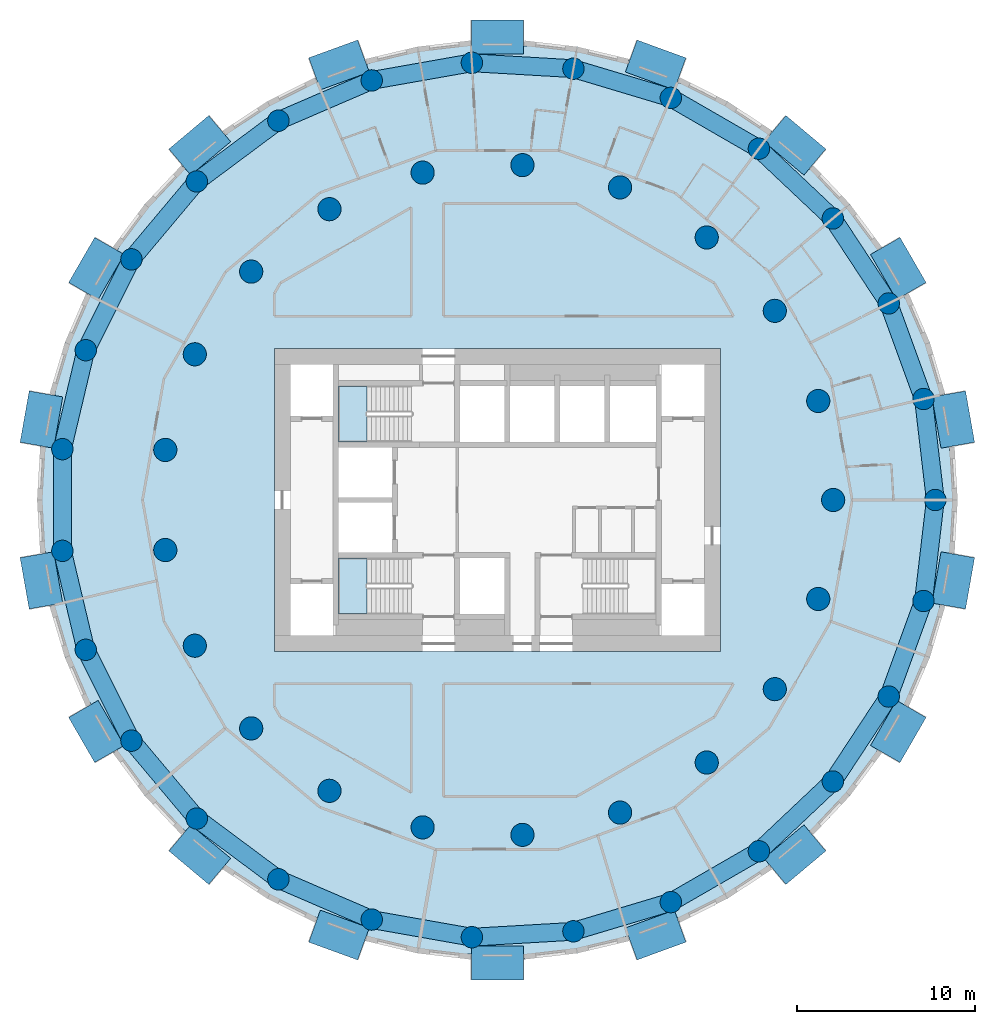
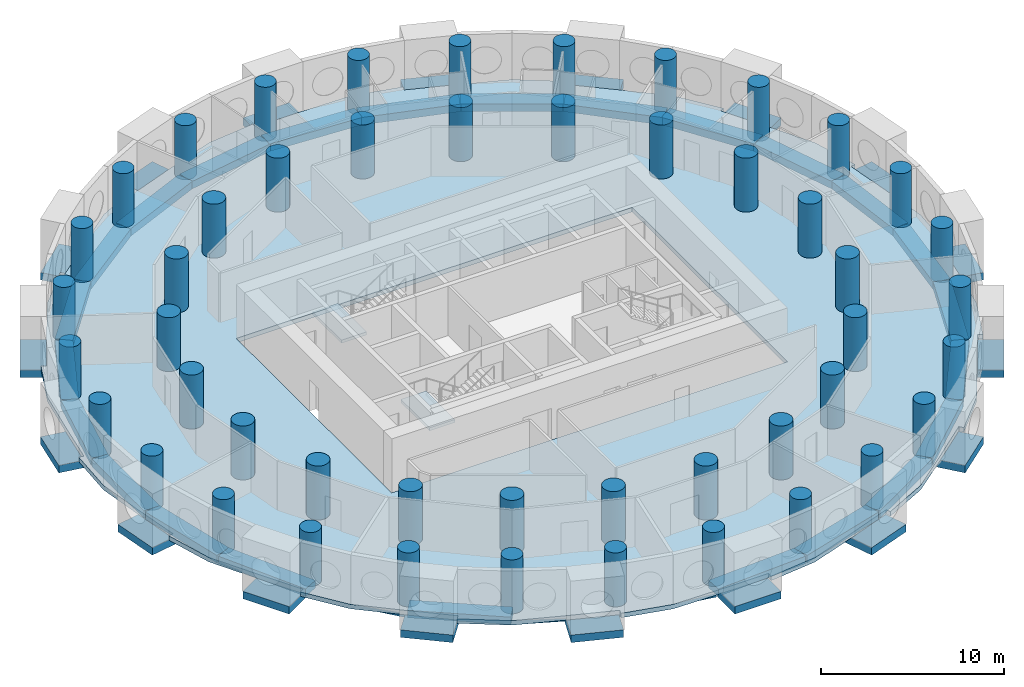
# One storey, part 1 of 10: 48 columns, 45 beams, 3 slabs, 2 elements without a shape of their own.
"""IFC4 building model written with IfcOpenShell, lengths in metres."""

from ifc_helpers import new_model, si_unit, direction, frame, origin, origin_2d, place, context, subcontext, project, spatial, polyline, rectangle, circle, outline, extrude, material, layer, layer_set, material_profile, profile_set, type_object, element, aggregate, save


model = new_model("IFC4")

# Units and contexts
model_context = context("Model", 3, precision=1e-05, world=origin(), true_north=direction((0.0, 1.0)))
body_context = subcontext(model_context, "Body", "Model", "MODEL_VIEW")
ifc_project = project(units=[si_unit("LENGTHUNIT", "METRE"), si_unit("AREAUNIT", "SQUARE_METRE"), si_unit("VOLUMEUNIT", "CUBIC_METRE"), si_unit("PLANEANGLEUNIT", "RADIAN"), si_unit("MASSUNIT", "GRAM", prefix="KILO")], contexts=[model_context])

# Site, building, storey
site_placement = place(None, origin())
site = spatial("IfcSite", under=ifc_project, at=site_placement, CompositionType="ELEMENT")
building_placement = place(site_placement, origin())
building = spatial("IfcBuilding", under=site, at=building_placement, Name="Tracery Tower", CompositionType="ELEMENT")
storey_placement = place(building_placement, frame((0.0, 0.0, 158.39990234375)))
storey = spatial("IfcBuildingStorey", under=building, at=storey_placement, Name="L40", CompositionType="ELEMENT", Elevation=158.39990234375)

# Columns
ifc_material_1 = material(Name="Concrete C50/60", Category="concrete")
ifc_material_profile_1 = material_profile(ifc_material_1, circle(Radius=0.60009765625, at=origin_2d()), Name="RC D1200")
ifc_profile_set_1 = profile_set([ifc_material_profile_1], Name="Concrete C50/60")
column_type_1 = type_object("IfcColumnType", Name="Ring 1 column 1200", PredefinedType="COLUMN", material=ifc_profile_set_1)
for number, where, z_axis, x_axis, name in (
    (1, (24.547607421875, 0.0, 0.0), (0.0, 0.0, 1.0), (1.0, 0.0, 0.0), "Ring 1 column 00 at L40"),
    (2, (23.885986328125, 5.6611328125, 0.0), (0.0, 0.0, 1.0), (1.0, 0.0, 0.0), "Ring 1 column 01 at L40"),
    (3, (21.9365234375, 11.01708984375, 0.0), (0.0, 0.0, 1.0), (1.0, 0.0, 0.0), "Ring 1 column 02 at L40"),
    (4, (18.8046875, 15.779052734375, 0.0), (0.0, 0.0, 1.0), (1.0, 0.0, 0.0), "Ring 1 column 03 at L40"),
    (5, (14.658935546875, 19.690185546875, 0.0), (0.0, 0.0, 1.0), (1.0, 0.0, 0.0), "Ring 1 column 04 at L40"),
    (6, (9.722900390625, 22.5400390625, 0.0), (0.0, 0.0, 1.0), (1.0, 0.0, 0.0), "Ring 1 column 05 at L40"),
    (7, (4.2626953125, 24.1748046875, 0.0), (0.0, 0.0, 1.0), (1.0, 0.0, 0.0), "Ring 1 column 06 at L40"),
    (8, (-1.42724609375, 24.506103515625, 0.0), (0.0, 0.0, 1.0), (1.0, 0.0, 0.0), "Ring 1 column 07 at L40"),
    (9, (-7.040283203125, 23.516357421875, 0.0), (0.0, 0.0, 1.0), (1.0, 0.0, 0.0), "Ring 1 column 08 at L40"),
    (10, (-12.273681640625, 21.2587890625, 0.0), (0.0, 0.0, 1.0), (1.0, 0.0, 0.0), "Ring 1 column 09 at L40"),
    (11, (-16.845703125, 17.855224609375, 0.0), (0.0, 0.0, 1.0), (1.0, 0.0, 0.0), "Ring 1 column 10 at L40"),
    (12, (-20.50927734375, 13.4892578125, 0.0), (0.0, 0.0, 1.0), (1.0, 0.0, 0.0), "Ring 1 column 11 at L40"),
    (13, (-23.0673828125, 8.395751953125, 0.0), (0.0, 0.0, 1.0), (1.0, 0.0, 0.0), "Ring 1 column 12 at L40"),
    (14, (-24.381591796875, 2.849853515625, 0.0), (0.0, 0.0, 1.0), (1.0, 0.0, 0.0), "Ring 1 column 13 at L40"),
    (15, (-24.381591796875, -2.849853515625, 0.0), (0.0, 0.0, 1.0), (1.0, 0.0, 0.0), "Ring 1 column 14 at L40"),
    (16, (-23.0673828125, -8.395751953125, 0.0), (0.0, 0.0, 1.0), (1.0, 0.0, 0.0), "Ring 1 column 15 at L40"),
    (17, (-20.50927734375, -13.4892578125, 0.0), (0.0, 0.0, 1.0), (1.0, 0.0, 0.0), "Ring 1 column 16 at L40"),
    (18, (-16.845703125, -17.85546875, 0.0), (0.0, 0.0, 1.0), (1.0, 0.0, 0.0), "Ring 1 column 17 at L40"),
    (19, (-12.27392578125, -21.2587890625, 0.0), (0.0, 0.0, 1.0), (1.0, 0.0, 0.0), "Ring 1 column 18 at L40"),
    (20, (-7.040283203125, -23.516357421875, 0.0), (0.0, 0.0, 1.0), (1.0, 0.0, 0.0), "Ring 1 column 19 at L40"),
    (21, (-1.42724609375, -24.506103515625, 0.0), (0.0, 0.0, 1.0), (1.0, 0.0, 0.0), "Ring 1 column 20 at L40"),
    (22, (4.2626953125, -24.1748046875, 0.0), (0.0, 0.0, 1.0), (1.0, 0.0, 0.0), "Ring 1 column 21 at L40"),
    (23, (9.722900390625, -22.5400390625, 0.0), (0.0, 0.0, 1.0), (1.0, 0.0, 0.0), "Ring 1 column 22 at L40"),
    (24, (14.658935546875, -19.690185546875, 0.0), (0.0, 0.0, 1.0), (1.0, 0.0, 0.0), "Ring 1 column 23 at L40"),
    (25, (18.8046875, -15.779052734375, 0.0), (0.0, 0.0, 1.0), (1.0, 0.0, 0.0), "Ring 1 column 24 at L40"),
    (26, (21.9365234375, -11.01708984375, 0.0), (0.0, 0.0, 1.0), (1.0, 0.0, 0.0), "Ring 1 column 25 at L40"),
    (27, (23.885986328125, -5.6611328125, 0.0), (0.0, 0.0, 1.0), (1.0, 0.0, 0.0), "Ring 1 column 26 at L40"),
):
    element("IfcColumn", number, at=place(storey_placement, frame(where, z_axis=z_axis, x_axis=x_axis)), inside=storey, type_object=column_type_1, Name=name, PredefinedType="COLUMN", context=body_context, shape_type="SweptSolid", body=[
        extrude(circle(Radius=0.60009765625, at=origin_2d()), origin(), (0.0, 0.0, 1.0), 3.60009765625),
    ])
ifc_material_2 = material(Name="Concrete C50/60", Category="concrete")
ifc_material_profile_2 = material_profile(ifc_material_2, circle(Radius=0.64990234375, at=origin_2d()), Name="RC D1300")
ifc_profile_set_2 = profile_set([ifc_material_profile_2], Name="Concrete C50/60")
column_type_2 = type_object("IfcColumnType", Name="Ring 2 column 1300", PredefinedType="COLUMN", material=ifc_profile_set_2)
for number, where, z_axis, x_axis, name in (
    (28, (18.822265625, 0.0, 0.0), (0.0, 0.0, 1.0), (1.0, 0.0, 0.0), "Ring 2 column 00 at L40"),
    (29, (17.986083984375, 5.5478515625, 0.0), (0.0, 0.0, 1.0), (1.0, 0.0, 0.0), "Ring 2 column 01 at L40"),
    (30, (15.551513671875, 10.602783203125, 0.0), (0.0, 0.0, 1.0), (1.0, 0.0, 0.0), "Ring 2 column 02 at L40"),
    (31, (11.7353515625, 14.7158203125, 0.0), (0.0, 0.0, 1.0), (1.0, 0.0, 0.0), "Ring 2 column 03 at L40"),
    (32, (6.87646484375, 17.52099609375, 0.0), (0.0, 0.0, 1.0), (1.0, 0.0, 0.0), "Ring 2 column 04 at L40"),
    (33, (1.406494140625, 18.76953125, 0.0), (0.0, 0.0, 1.0), (1.0, 0.0, 0.0), "Ring 2 column 05 at L40"),
    (34, (-4.188232421875, 18.350341796875, 0.0), (0.0, 0.0, 1.0), (1.0, 0.0, 0.0), "Ring 2 column 06 at L40"),
    (35, (-9.4111328125, 16.300537109375, 0.0), (0.0, 0.0, 1.0), (1.0, 0.0, 0.0), "Ring 2 column 07 at L40"),
    (36, (-13.797607421875, 12.802490234375, 0.0), (0.0, 0.0, 1.0), (1.0, 0.0, 0.0), "Ring 2 column 08 at L40"),
    (37, (-16.958251953125, 8.16650390625, 0.0), (0.0, 0.0, 1.0), (1.0, 0.0, 0.0), "Ring 2 column 09 at L40"),
    (38, (-18.612060546875, 2.805419921875, 0.0), (0.0, 0.0, 1.0), (1.0, 0.0, 0.0), "Ring 2 column 10 at L40"),
    (39, (-18.612060546875, -2.805419921875, 0.0), (0.0, 0.0, 1.0), (1.0, 0.0, 0.0), "Ring 2 column 11 at L40"),
    (40, (-16.958251953125, -8.166748046875, 0.0), (0.0, 0.0, 1.0), (1.0, 0.0, 0.0), "Ring 2 column 12 at L40"),
    (41, (-13.797607421875, -12.80224609375, 0.0), (0.0, 0.0, 1.0), (1.0, 0.0, 0.0), "Ring 2 column 13 at L40"),
    (42, (-9.4111328125, -16.300537109375, 0.0), (0.0, 0.0, 1.0), (1.0, 0.0, 0.0), "Ring 2 column 14 at L40"),
    (43, (-4.188232421875, -18.350341796875, 0.0), (0.0, 0.0, 1.0), (1.0, 0.0, 0.0), "Ring 2 column 15 at L40"),
    (44, (1.406494140625, -18.76953125, 0.0), (0.0, 0.0, 1.0), (1.0, 0.0, 0.0), "Ring 2 column 16 at L40"),
    (45, (6.87646484375, -17.52099609375, 0.0), (0.0, 0.0, 1.0), (1.0, 0.0, 0.0), "Ring 2 column 17 at L40"),
    (46, (11.7353515625, -14.7158203125, 0.0), (0.0, 0.0, 1.0), (1.0, 0.0, 0.0), "Ring 2 column 18 at L40"),
    (47, (15.551513671875, -10.602783203125, 0.0), (0.0, 0.0, 1.0), (1.0, 0.0, 0.0), "Ring 2 column 19 at L40"),
    (48, (17.986083984375, -5.5478515625, 0.0), (0.0, 0.0, 1.0), (1.0, 0.0, 0.0), "Ring 2 column 20 at L40"),
):
    element("IfcColumn", number, at=place(storey_placement, frame(where, z_axis=z_axis, x_axis=x_axis)), inside=storey, type_object=column_type_2, Name=name, PredefinedType="COLUMN", context=body_context, shape_type="SweptSolid", body=[
        extrude(circle(Radius=0.64990234375, at=origin_2d()), origin(), (0.0, 0.0, 1.0), 3.60009765625),
    ])

# Beams
ifc_material_3 = material(Name="Concrete C50/60", Category="concrete")
ifc_material_profile_3 = material_profile(ifc_material_3, rectangle(XDim=1.909912109375, YDim=0.5, at=origin_2d()), Name="RC 1910x500")
ifc_profile_set_3 = profile_set([ifc_material_profile_3], Name="Concrete C50/60")
beam_type_1 = type_object("IfcBeamType", Name="Bay seat beam 1910 x 500", PredefinedType="BEAM", material=ifc_profile_set_3)
for number, where, z_axis, x_axis, name in (
    (49, (25.808349609375, 3.068115234375, -0.5498046875), (-0.173651785524, 0.984807116843, 0.0), (-0.984807116843, -0.173651785524, 0.0), "Bay seat beam 2 at L40"),
    (50, (23.20263671875, 11.710205078125, -0.5498046875), (-0.500050533749, 0.865996226145, 0.0), (-0.865996226145, -0.500050533749, 0.0), "Bay seat beam 5 at L40"),
):
    element("IfcBeam", number, at=place(storey_placement, frame(where, z_axis=z_axis, x_axis=x_axis)), inside=storey, type_object=beam_type_1, Name=name, PredefinedType="BEAM", context=body_context, shape_type="SweptSolid", body=[
        extrude(rectangle(XDim=1.909912109375, YDim=0.5, at=origin_2d()), origin(), (0.0, 0.0, 1.0), 2.920166015625),
    ])
for number, where, z_axis, x_axis, name in (
    (51, (17.798095703125, 18.939697265625, -0.5498046875), (-0.766037477963, 0.642795910345, 0.0), (-0.642795910345, -0.766037477963, 0.0), "Bay seat beam 8 at L40"),
    (52, (10.2470703125, 23.884765625, -0.5498046875), (-0.939683523464, 0.342045136978, 0.0), (-0.342045136978, -0.939683523464, 0.0), "Bay seat beam 11 at L40"),
    (53, (1.4599609375, 25.948974609375, -0.5498046875), (-1.0, 0.0, 0.0), (0.0, -1.0, 0.0), "Bay seat beam 14 at L40"),
    (54, (-7.503173828125, 24.883544921875, -0.5498046875), (-0.939683523464, -0.342045136978, 0.0), (0.342045136978, -0.939683523464, 0.0), "Bay seat beam 17 at L40"),
    (55, (-15.561279296875, 20.816650390625, -0.5498046875), (-0.766037477963, -0.642795910345, 0.0), (0.642795910345, -0.766037477963, 0.0), "Bay seat beam 20 at L40"),
):
    element("IfcBeam", number, at=place(storey_placement, frame(where, z_axis=z_axis, x_axis=x_axis)), inside=storey, type_object=beam_type_1, Name=name, PredefinedType="BEAM", context=body_context, shape_type="SweptSolid", body=[
        extrude(rectangle(XDim=1.909912109375, YDim=0.5, at=origin_2d()), origin(), (0.0, 0.0, 1.0), 2.919921875),
    ])
for number, where, z_axis, x_axis, name in (
    (56, (-21.742431640625, 14.239013671875, -0.5498046875), (-0.500050533749, -0.865996226145, 0.0), (0.865996226145, -0.500050533749, 0.0), "Bay seat beam 23 at L40"),
    (57, (-25.30126953125, 5.94384765625, -0.5498046875), (-0.173651785524, -0.984807116843, 0.0), (0.984807116843, -0.173651785524, 0.0), "Bay seat beam 26 at L40"),
    (58, (-25.808349609375, -3.068115234375, -0.5498046875), (0.173651785524, -0.984807116843, 0.0), (0.984807116843, 0.173651785524, 0.0), "Bay seat beam 29 at L40"),
    (59, (-23.20263671875, -11.710205078125, -0.5498046875), (0.500050533749, -0.865996226145, 0.0), (0.865996226145, 0.500050533749, 0.0), "Bay seat beam 32 at L40"),
):
    element("IfcBeam", number, at=place(storey_placement, frame(where, z_axis=z_axis, x_axis=x_axis)), inside=storey, type_object=beam_type_1, Name=name, PredefinedType="BEAM", context=body_context, shape_type="SweptSolid", body=[
        extrude(rectangle(XDim=1.909912109375, YDim=0.5, at=origin_2d()), origin(), (0.0, 0.0, 1.0), 2.920166015625),
    ])
for number, where, z_axis, x_axis, name in (
    (60, (-17.798095703125, -18.939697265625, -0.5498046875), (0.766037477963, -0.642795910345, 0.0), (0.642795910345, 0.766037477963, 0.0), "Bay seat beam 35 at L40"),
    (61, (-10.2470703125, -23.884765625, -0.5498046875), (0.939683523464, -0.342045136978, 0.0), (0.342045136978, 0.939683523464, 0.0), "Bay seat beam 38 at L40"),
    (62, (-1.4599609375, -25.948974609375, -0.5498046875), (1.0, 0.0, 0.0), (0.0, 1.0, 0.0), "Bay seat beam 41 at L40"),
    (63, (7.503173828125, -24.883544921875, -0.5498046875), (0.939683523464, 0.342045136978, 0.0), (-0.342045136978, 0.939683523464, 0.0), "Bay seat beam 44 at L40"),
    (64, (15.561279296875, -20.816650390625, -0.5498046875), (0.766037477963, 0.642795910345, 0.0), (-0.642795910345, 0.766037477963, 0.0), "Bay seat beam 47 at L40"),
):
    element("IfcBeam", number, at=place(storey_placement, frame(where, z_axis=z_axis, x_axis=x_axis)), inside=storey, type_object=beam_type_1, Name=name, PredefinedType="BEAM", context=body_context, shape_type="SweptSolid", body=[
        extrude(rectangle(XDim=1.909912109375, YDim=0.5, at=origin_2d()), origin(), (0.0, 0.0, 1.0), 2.919921875),
    ])
for number, where, z_axis, x_axis, name in (
    (65, (21.742431640625, -14.239013671875, -0.5498046875), (0.500050533749, 0.865996226145, 0.0), (-0.865996226145, 0.500050533749, 0.0), "Bay seat beam 50 at L40"),
    (66, (25.30126953125, -5.94384765625, -0.5498046875), (0.173651785524, 0.984807116843, 0.0), (-0.984807116843, 0.173651785524, 0.0), "Bay seat beam 53 at L40"),
):
    element("IfcBeam", number, at=place(storey_placement, frame(where, z_axis=z_axis, x_axis=x_axis)), inside=storey, type_object=beam_type_1, Name=name, PredefinedType="BEAM", context=body_context, shape_type="SweptSolid", body=[
        extrude(rectangle(XDim=1.909912109375, YDim=0.5, at=origin_2d()), origin(), (0.0, 0.0, 1.0), 2.920166015625),
    ])
ifc_material_4 = material(Name="Concrete C50/60", Category="concrete")
ifc_material_profile_4 = material_profile(ifc_material_4, rectangle(XDim=1.0, YDim=0.5, at=origin_2d()), Name="RC 1000x500")
ifc_profile_set_4 = profile_set([ifc_material_profile_4], Name="Concrete C50/60")
beam_type_2 = type_object("IfcBeamType", Name="Perimeter band beam 1000x500", PredefinedType="BEAM", material=ifc_profile_set_4)
for number, where, z_axis, x_axis, name in (
    (67, (24.547607421875, 0.0, -0.5498046875), (-0.116080723252, 0.993239782575, 0.0), (-0.993239782575, -0.116080723252, 0.0), "Perimeter beam 1.00 under L40"),
    (68, (23.885986328125, 5.6611328125, -0.5498046875), (-0.342028502279, 0.939689578334, 0.0), (-0.939689578334, -0.342028502279, 0.0), "Perimeter beam 1.01 under L40"),
):
    element("IfcBeam", number, at=place(storey_placement, frame(where, z_axis=z_axis, x_axis=x_axis)), inside=storey, type_object=beam_type_2, Name=name, PredefinedType="BEAM", context=body_context, shape_type="SweptSolid", body=[
        extrude(rectangle(XDim=1.0, YDim=0.5, at=origin_2d()), origin(), (0.0, 0.0, 1.0), 5.69970703125),
    ])
for number, where, z_axis, x_axis, name in (
    (69, (21.9365234375, 11.01708984375, -0.5498046875), (-0.549489832182, 0.835500403548, 0.0), (-0.835500403548, -0.549489832182, 0.0), "Perimeter beam 1.02 under L40"),
    (70, (18.8046875, 15.779052734375, -0.5498046875), (-0.727389618263, 0.686224703172, 0.0), (-0.686224703172, -0.727389618263, 0.0), "Perimeter beam 1.03 under L40"),
):
    element("IfcBeam", number, at=place(storey_placement, frame(where, z_axis=z_axis, x_axis=x_axis)), inside=storey, type_object=beam_type_2, Name=name, PredefinedType="BEAM", context=body_context, shape_type="SweptSolid", body=[
        extrude(rectangle(XDim=1.0, YDim=0.5, at=origin_2d()), origin(), (0.0, 0.0, 1.0), 5.699462890625),
    ])
for number, where, z_axis, x_axis, name in (
    (71, (14.658935546875, 19.690185546875, -0.5498046875), (-0.866022950691, 0.500004248858, 0.0), (-0.500004248858, -0.866022950691, 0.0), "Perimeter beam 1.04 under L40"),
    (72, (9.722900390625, 22.5400390625, -0.5498046875), (-0.957985292634, 0.28681732705, 0.0), (-0.28681732705, -0.957985292634, 0.0), "Perimeter beam 1.05 under L40"),
):
    element("IfcBeam", number, at=place(storey_placement, frame(where, z_axis=z_axis, x_axis=x_axis)), inside=storey, type_object=beam_type_2, Name=name, PredefinedType="BEAM", context=body_context, shape_type="SweptSolid", body=[
        extrude(rectangle(XDim=1.0, YDim=0.5, at=origin_2d()), origin(), (0.0, 0.0, 1.0), 5.69970703125),
    ])
beam_1_placement = place(storey_placement, frame((4.2626953125, 24.1748046875, -0.5498046875), z_axis=(-0.99830920221, 0.058126902403, 0.0), x_axis=(-0.058126902403, -0.99830920221, 0.0)))
element("IfcBeam", 73, at=beam_1_placement, inside=storey, type_object=beam_type_2, Name="Perimeter beam 1.06 under L40", PredefinedType="BEAM", context=body_context, shape_type="SweptSolid", body=[
    extrude(rectangle(XDim=1.0, YDim=0.5, at=origin_2d()), origin(), (0.0, 0.0, 1.0), 5.699462890625),
])
beam_2_placement = place(storey_placement, frame((-1.42724609375, 24.506103515625, -0.5498046875), z_axis=(-0.984807266719, -0.173650935552, 0.0), x_axis=(0.173650935552, -0.984807266719, 0.0)))
element("IfcBeam", 74, at=beam_2_placement, inside=storey, type_object=beam_type_2, Name="Perimeter beam 1.07 under L40", PredefinedType="BEAM", context=body_context, shape_type="SweptSolid", body=[
    extrude(rectangle(XDim=1.0, YDim=0.5, at=origin_2d()), origin(), (0.0, 0.0, 1.0), 5.69970703125),
])
beam_3_placement = place(storey_placement, frame((-7.040283203125, 23.516357421875, -0.5498046875), z_axis=(-0.918209685525, -0.396094652083, 0.0), x_axis=(0.396094652083, -0.918209685525, 0.0)))
element("IfcBeam", 75, at=beam_3_placement, inside=storey, type_object=beam_type_2, Name="Perimeter beam 1.08 under L40", PredefinedType="BEAM", context=body_context, shape_type="SweptSolid", body=[
    extrude(rectangle(XDim=1.0, YDim=0.5, at=origin_2d()), origin(), (0.0, 0.0, 1.0), 5.699462890625),
])
beam_4_placement = place(storey_placement, frame((-12.273681640625, 21.2587890625, -0.5498046875), z_axis=(-0.802138271299, -0.59713833717, 0.0), x_axis=(0.59713833717, -0.802138271299, 0.0)))
element("IfcBeam", 76, at=beam_4_placement, inside=storey, type_object=beam_type_2, Name="Perimeter beam 1.09 under L40", PredefinedType="BEAM", context=body_context, shape_type="SweptSolid", body=[
    extrude(rectangle(XDim=1.0, YDim=0.5, at=origin_2d()), origin(), (0.0, 0.0, 1.0), 5.69970703125),
])
beam_5_placement = place(storey_placement, frame((-16.845703125, 17.855224609375, -0.5498046875), z_axis=(-0.642797194343, -0.766036400535, 0.0), x_axis=(0.766036400535, -0.642797194343, 0.0)))
element("IfcBeam", 77, at=beam_5_placement, inside=storey, type_object=beam_type_2, Name="Perimeter beam 1.10 under L40", PredefinedType="BEAM", context=body_context, shape_type="SweptSolid", body=[
    extrude(rectangle(XDim=1.0, YDim=0.5, at=origin_2d()), origin(), (0.0, 0.0, 1.0), 5.699462890625),
])
beam_6_placement = place(storey_placement, frame((-20.50927734375, 13.4892578125, -0.5498046875), z_axis=(-0.448806280933, -0.893629074166, 0.0), x_axis=(0.893629074166, -0.448806280933, 0.0)))
element("IfcBeam", 78, at=beam_6_placement, inside=storey, type_object=beam_type_2, Name="Perimeter beam 1.11 under L40", PredefinedType="BEAM", context=body_context, shape_type="SweptSolid", body=[
    extrude(rectangle(XDim=1.0, YDim=0.5, at=origin_2d()), origin(), (0.0, 0.0, 1.0), 5.69970703125),
])
beam_7_placement = place(storey_placement, frame((-23.0673828125, 8.395751953125, -0.5498046875), z_axis=(-0.230583793756, -0.973052472407, 0.0), x_axis=(0.973052472407, -0.230583793756, 0.0)))
element("IfcBeam", 79, at=beam_7_placement, inside=storey, type_object=beam_type_2, Name="Perimeter beam 1.12 under L40", PredefinedType="BEAM", context=body_context, shape_type="SweptSolid", body=[
    extrude(rectangle(XDim=1.0, YDim=0.5, at=origin_2d()), origin(), (0.0, 0.0, 1.0), 5.699462890625),
])
beam_8_placement = place(storey_placement, frame((-24.381591796875, 2.849853515625, -0.5498046875), z_axis=(0.0, -1.0, 0.0), x_axis=(1.0, 0.0, 0.0)))
element("IfcBeam", 80, at=beam_8_placement, inside=storey, type_object=beam_type_2, Name="Perimeter beam 1.13 under L40", PredefinedType="BEAM", context=body_context, shape_type="SweptSolid", body=[
    extrude(rectangle(XDim=1.0, YDim=0.5, at=origin_2d()), origin(), (0.0, 0.0, 1.0), 5.69970703125),
])
beam_9_placement = place(storey_placement, frame((-24.381591796875, -2.849853515625, -0.5498046875), z_axis=(0.230583793756, -0.973052472407, 0.0), x_axis=(0.973052472407, 0.230583793756, 0.0)))
element("IfcBeam", 81, at=beam_9_placement, inside=storey, type_object=beam_type_2, Name="Perimeter beam 1.14 under L40", PredefinedType="BEAM", context=body_context, shape_type="SweptSolid", body=[
    extrude(rectangle(XDim=1.0, YDim=0.5, at=origin_2d()), origin(), (0.0, 0.0, 1.0), 5.699462890625),
])
for number, where, z_axis, x_axis, name in (
    (82, (-23.0673828125, -8.395751953125, -0.5498046875), (0.448806280933, -0.893629074166, 0.0), (0.893629074166, 0.448806280933, 0.0), "Perimeter beam 1.15 under L40"),
    (83, (-20.50927734375, -13.4892578125, -0.5498046875), (0.64277610208, -0.766054099, 0.0), (0.766054099, 0.64277610208, 0.0), "Perimeter beam 1.16 under L40"),
):
    element("IfcBeam", number, at=place(storey_placement, frame(where, z_axis=z_axis, x_axis=x_axis)), inside=storey, type_object=beam_type_2, Name=name, PredefinedType="BEAM", context=body_context, shape_type="SweptSolid", body=[
        extrude(rectangle(XDim=1.0, YDim=0.5, at=origin_2d()), origin(), (0.0, 0.0, 1.0), 5.69970703125),
    ])
beam_10_placement = place(storey_placement, frame((-16.845703125, -17.85546875, -0.5498046875), z_axis=(0.802143514942, -0.597131293298, 0.0), x_axis=(0.597131293298, 0.802143514942, 0.0)))
element("IfcBeam", 84, at=beam_10_placement, inside=storey, type_object=beam_type_2, Name="Perimeter beam 1.17 under L40", PredefinedType="BEAM", context=body_context, shape_type="SweptSolid", body=[
    extrude(rectangle(XDim=1.0, YDim=0.5, at=origin_2d()), origin(), (0.0, 0.0, 1.0), 5.699462890625),
])
for number, where, z_axis, x_axis, name in (
    (85, (-12.27392578125, -21.2587890625, -0.5498046875), (0.918216405543, -0.39607907366, 0.0), (0.39607907366, 0.918216405543, 0.0), "Perimeter beam 1.18 under L40"),
    (86, (-7.040283203125, -23.516357421875, -0.5498046875), (0.984807266719, -0.173650935552, 0.0), (0.173650935552, 0.984807266719, 0.0), "Perimeter beam 1.19 under L40"),
):
    element("IfcBeam", number, at=place(storey_placement, frame(where, z_axis=z_axis, x_axis=x_axis)), inside=storey, type_object=beam_type_2, Name=name, PredefinedType="BEAM", context=body_context, shape_type="SweptSolid", body=[
        extrude(rectangle(XDim=1.0, YDim=0.5, at=origin_2d()), origin(), (0.0, 0.0, 1.0), 5.69970703125),
    ])
beam_11_placement = place(storey_placement, frame((-1.42724609375, -24.506103515625, -0.5498046875), z_axis=(0.99830920221, 0.058126902403, 0.0), x_axis=(-0.058126902403, 0.99830920221, 0.0)))
element("IfcBeam", 87, at=beam_11_placement, inside=storey, type_object=beam_type_2, Name="Perimeter beam 1.20 under L40", PredefinedType="BEAM", context=body_context, shape_type="SweptSolid", body=[
    extrude(rectangle(XDim=1.0, YDim=0.5, at=origin_2d()), origin(), (0.0, 0.0, 1.0), 5.699462890625),
])
for number, where, z_axis, x_axis, name in (
    (88, (4.2626953125, -24.1748046875, -0.5498046875), (0.957985292634, 0.28681732705, 0.0), (-0.28681732705, 0.957985292634, 0.0), "Perimeter beam 1.21 under L40"),
    (89, (9.722900390625, -22.5400390625, -0.5498046875), (0.866022950691, 0.500004248858, 0.0), (-0.500004248858, 0.866022950691, 0.0), "Perimeter beam 1.22 under L40"),
):
    element("IfcBeam", number, at=place(storey_placement, frame(where, z_axis=z_axis, x_axis=x_axis)), inside=storey, type_object=beam_type_2, Name=name, PredefinedType="BEAM", context=body_context, shape_type="SweptSolid", body=[
        extrude(rectangle(XDim=1.0, YDim=0.5, at=origin_2d()), origin(), (0.0, 0.0, 1.0), 5.69970703125),
    ])
for number, where, z_axis, x_axis, name in (
    (90, (14.658935546875, -19.690185546875, -0.5498046875), (0.727389618263, 0.686224703172, 0.0), (-0.686224703172, 0.727389618263, 0.0), "Perimeter beam 1.23 under L40"),
    (91, (18.8046875, -15.779052734375, -0.5498046875), (0.549489832182, 0.835500403548, 0.0), (-0.835500403548, 0.549489832182, 0.0), "Perimeter beam 1.24 under L40"),
):
    element("IfcBeam", number, at=place(storey_placement, frame(where, z_axis=z_axis, x_axis=x_axis)), inside=storey, type_object=beam_type_2, Name=name, PredefinedType="BEAM", context=body_context, shape_type="SweptSolid", body=[
        extrude(rectangle(XDim=1.0, YDim=0.5, at=origin_2d()), origin(), (0.0, 0.0, 1.0), 5.699462890625),
    ])
for number, where, z_axis, x_axis, name in (
    (92, (21.9365234375, -11.01708984375, -0.5498046875), (0.342028502279, 0.939689578334, 0.0), (-0.939689578334, 0.342028502279, 0.0), "Perimeter beam 1.25 under L40"),
    (93, (23.885986328125, -5.6611328125, -0.5498046875), (0.116080723252, 0.993239782575, 0.0), (-0.993239782575, 0.116080723252, 0.0), "Perimeter beam 1.26 under L40"),
):
    element("IfcBeam", number, at=place(storey_placement, frame(where, z_axis=z_axis, x_axis=x_axis)), inside=storey, type_object=beam_type_2, Name=name, PredefinedType="BEAM", context=body_context, shape_type="SweptSolid", body=[
        extrude(rectangle(XDim=1.0, YDim=0.5, at=origin_2d()), origin(), (0.0, 0.0, 1.0), 5.69970703125),
    ])

# Slab
ifc_material_5 = material(Name="Concrete C40/50", Category="concrete")
ifc_layer_1 = layer(ifc_material_5, 0.300048828125)
ifc_layer_set_1 = layer_set([ifc_layer_1], Name="Floor slab 300")
slab_type_1 = type_object("IfcSlabType", Name="Floor slab 300", PredefinedType="FLOOR", material=ifc_layer_set_1)
slab_1_placement = place(storey_placement, frame((0.0, 0.0, -0.2998046875)))
element("IfcSlab", 94, at=slab_1_placement, inside=storey, type_object=slab_type_1, Name="Floor slab L40", PredefinedType="FLOOR", context=body_context, shape_type="SweptSolid", body=[
    extrude(outline(polyline([(25.32470703125, 2.959716796875), (25.07568359375, 4.373291015625), (24.809814453125, 5.880126953125), (24.809814453125, 5.880126953125), (24.806884765625, 5.897216796875), (25.1015625, 5.94921875), (25.102294921875, 5.949462890625), (24.241943359375, 8.8232421875), (22.78515625, 11.443115234375), (21.302490234375, 14.010986328125), (21.302490234375, 14.010986328125), (21.2939453125, 14.026123046875), (21.5537109375, 14.176025390625), (21.5537109375, 14.176025390625), (19.76220703125, 16.58251953125), (17.497314453125, 18.5458984375), (16.89501953125, 19.051513671875), (15.21240234375, 20.463134765625), (15.4052734375, 20.69287109375), (12.89892578125, 22.341552734375), (10.098876953125, 23.411865234375), (7.312744140625, 24.426025390625), (7.312744140625, 24.426025390625), (7.29638671875, 24.431884765625), (7.39892578125, 24.7138671875), (4.479736328125, 25.40576171875), (1.4853515625, 25.4541015625), (-1.5, 25.4541015625), (-1.5, 25.754150390625), (-4.479736328125, 25.40576171875), (-7.312744140625, 24.426025390625), (-10.098876953125, 23.411865234375), (-10.098876953125, 23.411865234375), (-10.115234375, 23.406005859375), (-10.218017578125, 23.68798828125), (-12.898681640625, 22.341552734375), (-15.224609375, 20.453125), (-16.89501953125, 19.051513671875), (-17.497314453125, 18.5458984375), (-17.497314453125, 18.5458984375), (-17.510498046875, 18.534912109375), (-17.703369140625, 18.764404296875), (-17.70361328125, 18.7646484375), (-19.76220703125, 16.58251953125), (-21.302490234375, 14.010986328125), (-22.78515625, 11.443115234375), (-22.78515625, 11.443115234375), (-22.7939453125, 11.427978515625), (-23.0537109375, 11.577880859375), (-23.0537109375, 11.577880859375), (-24.241943359375, 8.8232421875), (-24.809814453125, 5.880126953125), (-25.07568359375, 4.373291015625), (-25.327880859375, 2.94287109375), (-25.622802734375, 2.994873046875), (-25.623291015625, 2.994873046875), (-25.797607421875, 0.0), (-25.32470703125, -2.959716796875), (-25.07568359375, -4.373291015625), (-24.809814453125, -5.880126953125), (-24.809814453125, -5.880126953125), (-24.806884765625, -5.897216796875), (-25.1015625, -5.94921875), (-25.102294921875, -5.949462890625), (-24.241943359375, -8.8232421875), (-22.78515625, -11.443115234375), (-21.302490234375, -14.010986328125), (-21.302490234375, -14.010986328125), (-21.2939453125, -14.026123046875), (-21.5537109375, -14.176025390625), (-21.5537109375, -14.176025390625), (-19.76220703125, -16.58251953125), (-17.497314453125, -18.5458984375), (-16.89501953125, -19.051513671875), (-15.21240234375, -20.463134765625), (-15.4052734375, -20.69287109375), (-12.89892578125, -22.341552734375), (-10.098876953125, -23.411865234375), (-7.312744140625, -24.426025390625), (-7.312744140625, -24.426025390625), (-7.29638671875, -24.431884765625), (-7.39892578125, -24.7138671875), (-4.479736328125, -25.40576171875), (-1.4853515625, -25.4541015625), (1.5, -25.4541015625), (1.5, -25.754150390625), (4.479736328125, -25.40576171875), (7.312744140625, -24.426025390625), (10.098876953125, -23.411865234375), (10.098876953125, -23.411865234375), (10.115234375, -23.406005859375), (10.218017578125, -23.68798828125), (12.89892578125, -22.341552734375), (15.224609375, -20.453125), (16.89501953125, -19.051513671875), (17.497314453125, -18.5458984375), (17.497314453125, -18.5458984375), (17.510498046875, -18.534912109375), (17.703369140625, -18.764404296875), (17.70361328125, -18.7646484375), (19.76220703125, -16.58251953125), (21.302490234375, -14.010986328125), (22.78515625, -11.443115234375), (22.78515625, -11.443115234375), (22.7939453125, -11.427978515625), (23.0537109375, -11.577880859375), (23.0537109375, -11.577880859375), (24.241943359375, -8.8232421875), (24.809814453125, -5.880126953125), (25.07568359375, -4.373291015625), (25.327880859375, -2.94287109375), (25.622802734375, -2.994873046875), (25.623291015625, -2.994873046875), (25.797607421875, 0.0), (25.32470703125, 2.959716796875)]), holes=[polyline([(-12.5, -8.5), (12.5, -8.5), (12.5, 8.5), (-12.5, 8.5), (-12.5, -8.5)])]), origin(), (0.0, 0.0, 1.0), 0.2998046875),
])

# Stair, slab
ifc_material_6 = material(Name="Concrete C32/40", Category="concrete")
stair_type = type_object("IfcStairType", Name="Core stair 22 risers", PredefinedType="HALF_TURN_STAIR", material=ifc_material_6)
stair_1_placement = place(storey_placement, origin())
stair_1 = element("IfcStair", 95, at=stair_1_placement, inside=storey, type_object=stair_type, Name="L40 stair ST1", PredefinedType="HALF_TURN_STAIR")
ifc_material_7 = material(Name="Concrete C32/40", Category="concrete")
ifc_layer_2 = layer(ifc_material_7, 0.199951171875)
ifc_layer_set_2 = layer_set([ifc_layer_2], Name="Stair landing slab 200")
slab_type_2 = type_object("IfcSlabType", Name="Stair landing slab 200", PredefinedType="LANDING", material=ifc_layer_set_2)
slab_2_placement = place(storey_placement, frame((0.0, 0.0, 1.60009765625)))
slab_2 = element("IfcSlab", 96, at=slab_2_placement, type_object=slab_type_2, Name="ST1 landing 1", PredefinedType="LANDING", context=body_context, shape_type="SweptSolid", body=[
    extrude(outline(polyline([(-7.29931640625, -3.25), (-8.89990234375, -3.25), (-8.89990234375, -6.39990234375), (-7.29931640625, -6.39990234375), (-7.29931640625, -3.25)])), origin(), (0.0, 0.0, 1.0), 0.199951171875),
])
aggregate(stair_1, [slab_2])

stair_2_placement = place(storey_placement, origin())
stair_2 = element("IfcStair", 97, at=stair_2_placement, inside=storey, type_object=stair_type, Name="L40 stair ST3", PredefinedType="HALF_TURN_STAIR")
slab_3_placement = place(storey_placement, frame((0.0, 0.0, 1.60009765625)))
slab_3 = element("IfcSlab", 98, at=slab_3_placement, type_object=slab_type_2, Name="ST3 landing 1", PredefinedType="LANDING", context=body_context, shape_type="SweptSolid", body=[
    extrude(outline(polyline([(-7.29931640625, 6.39990234375), (-8.89990234375, 6.39990234375), (-8.89990234375, 3.25), (-7.29931640625, 3.25), (-7.29931640625, 6.39990234375)])), origin(), (0.0, 0.0, 1.0), 0.199951171875),
])
aggregate(stair_2, [slab_3])

save(model, "model.ifc")
